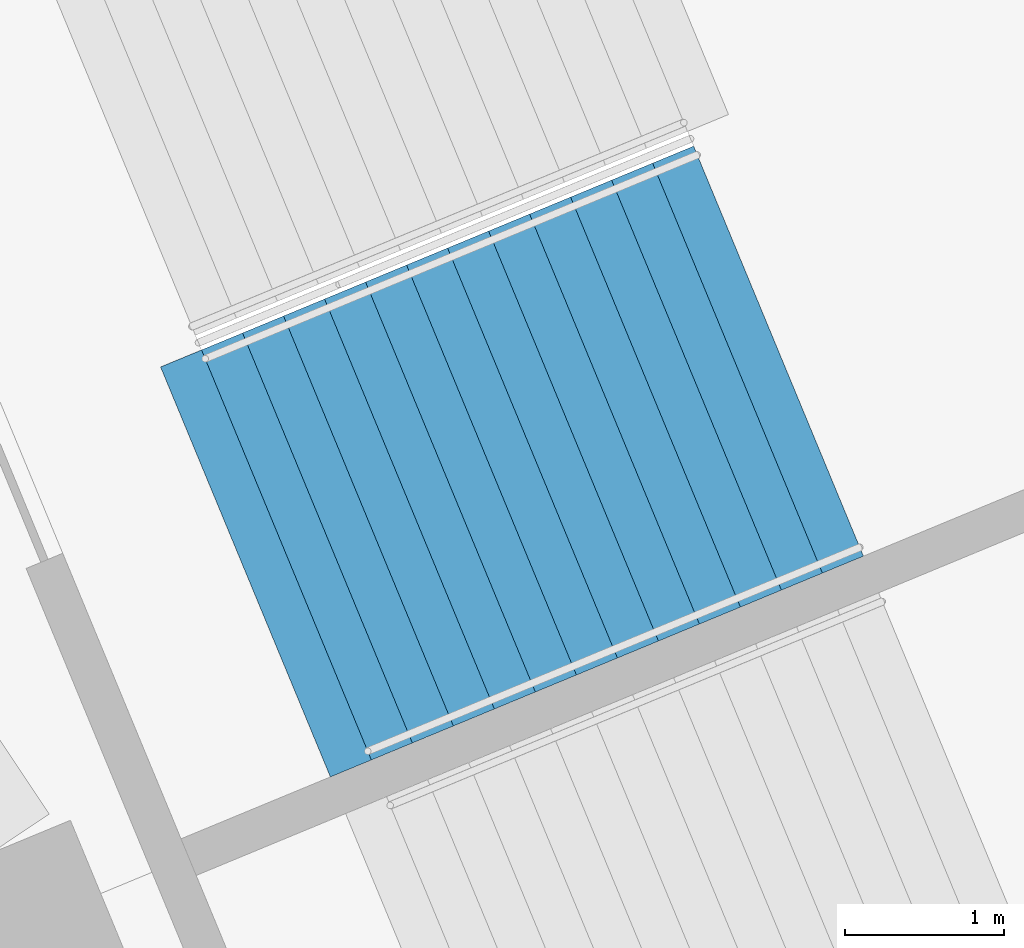
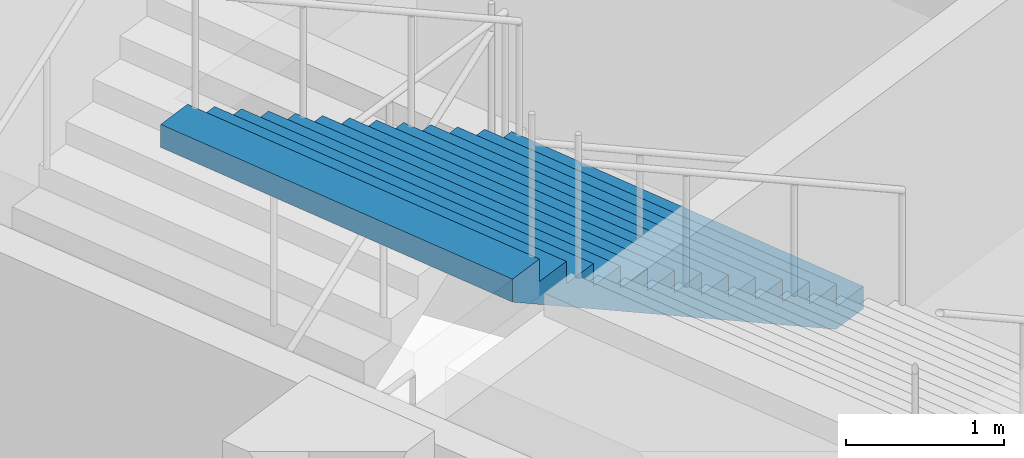
# One storey, part 176 of 199: 1 stair flight, 1 element without a shape of its own.
"""IFC4 building model written with IfcOpenShell, lengths in metres."""

from ifc_helpers import new_model, si_unit, direction, frame, origin, place, context, subcontext, project, spatial, faceted_brep, material, type_object, element, aggregate, save


model = new_model("IFC4")

# Units and contexts
model_context = context("Model", 3, precision=1e-05, world=origin(), true_north=direction((0.0, 1.0)))
body_context = subcontext(model_context, "Body", "Model", "MODEL_VIEW")
ifc_project = project(units=[si_unit("LENGTHUNIT", "METRE"), si_unit("AREAUNIT", "SQUARE_METRE"), si_unit("VOLUMEUNIT", "CUBIC_METRE"), si_unit("PLANEANGLEUNIT", "RADIAN"), si_unit("MASSUNIT", "GRAM", prefix="KILO")], contexts=[model_context])

# Site, building, storey
site_placement = place(None, origin())
site = spatial("IfcSite", under=ifc_project, at=site_placement, CompositionType="ELEMENT")
building_placement = place(site_placement, origin())
building = spatial("IfcBuilding", under=site, at=building_placement, Name="Ogive Plaza Stadium", CompositionType="ELEMENT")
storey_placement = place(building_placement, frame((0.0, 0.0, 9.0)))
storey = spatial("IfcBuildingStorey", under=building, at=storey_placement, Name="L02", CompositionType="ELEMENT", Elevation=9.0)

# Stair, stair flight
ifc_material_1 = material(Name="Concrete C40/50", Category="concrete")
stair_type = type_object("IfcStairType", Name="Exit stair", PredefinedType="STRAIGHT_RUN_STAIR", material=ifc_material_1)
stair_placement = place(storey_placement, origin())
stair = element("IfcStair", 1, at=stair_placement, inside=storey, type_object=stair_type, Name="Exit stair ST40B L02 to L03", PredefinedType="STRAIGHT_RUN_STAIR")
ifc_material_2 = material(Name="Concrete C40/50", Category="concrete")
stair_flight_type = type_object("IfcStairFlightType", Name="Exit stair flight", PredefinedType="STRAIGHT", material=ifc_material_2)
stair_flight_placement = place(storey_placement, frame((75.64697265625, 71.4013671875, 2.25), z_axis=(0.0, 0.0, 1.0), x_axis=(-0.923879532511, -0.382683432365, 0.0)))
stair_flight = element("IfcStairFlight", 2, at=stair_flight_placement, type_object=stair_flight_type, Name="ST40B flight 2", NumberOfRisers=13, NumberOfTreads=12, PredefinedType="STRAIGHT", RiserHeight=0.173076923, TreadLength=0.28, context=body_context, shape_type="Brep", body=[
    faceted_brep([(0.28515625, -1.39990234375, 0.0), (3.639892578125, -1.39990234375, 2.07373046875), (3.639892578125, -1.39990234375, 2.25), (3.360107421875, -1.39990234375, 2.25), (3.360107421875, -1.39990234375, 2.076904296875), (3.080078125, -1.39990234375, 2.076904296875), (3.080078125, -1.39990234375, 1.90380859375), (2.800048828125, -1.39990234375, 1.90380859375), (2.800048828125, -1.39990234375, 1.730712890625), (2.52001953125, -1.39990234375, 1.730712890625), (2.52001953125, -1.39990234375, 1.5576171875), (2.239990234375, -1.39990234375, 1.5576171875), (2.239990234375, -1.39990234375, 1.384521484375), (1.9599609375, -1.39990234375, 1.384521484375), (1.9599609375, -1.39990234375, 1.21142578125), (1.679931640625, -1.39990234375, 1.21142578125), (1.679931640625, -1.39990234375, 1.03857421875), (1.39990234375, -1.39990234375, 1.03857421875), (1.39990234375, -1.39990234375, 0.865478515625), (1.1201171875, -1.39990234375, 0.865478515625), (1.1201171875, -1.39990234375, 0.6923828125), (0.840087890625, -1.39990234375, 0.6923828125), (0.840087890625, -1.39990234375, 0.519287109375), (0.56005859375, -1.39990234375, 0.519287109375), (0.56005859375, -1.39990234375, 0.34619140625), (0.280029296875, -1.39990234375, 0.34619140625), (0.280029296875, -1.39990234375, 0.173095703125), (0.0, -1.39990234375, 0.173095703125), (0.0, -1.39990234375, 0.0), (0.0, 1.39990234375, 0.0), (0.0, 1.39990234375, 0.173095703125), (0.280029296875, 1.39990234375, 0.173095703125), (0.280029296875, 1.39990234375, 0.34619140625), (0.56005859375, 1.39990234375, 0.34619140625), (0.56005859375, 1.39990234375, 0.519287109375), (0.840087890625, 1.39990234375, 0.519287109375), (0.840087890625, 1.39990234375, 0.6923828125), (1.1201171875, 1.39990234375, 0.6923828125), (1.1201171875, 1.39990234375, 0.865478515625), (1.39990234375, 1.39990234375, 0.865478515625), (1.39990234375, 1.39990234375, 1.03857421875), (1.679931640625, 1.39990234375, 1.03857421875), (1.679931640625, 1.39990234375, 1.21142578125), (1.9599609375, 1.39990234375, 1.21142578125), (1.9599609375, 1.39990234375, 1.384521484375), (2.239990234375, 1.39990234375, 1.384521484375), (2.239990234375, 1.39990234375, 1.5576171875), (2.52001953125, 1.39990234375, 1.5576171875), (2.52001953125, 1.39990234375, 1.730712890625), (2.800048828125, 1.39990234375, 1.730712890625), (2.800048828125, 1.39990234375, 1.90380859375), (3.080078125, 1.39990234375, 1.90380859375), (3.080078125, 1.39990234375, 2.076904296875), (3.360107421875, 1.39990234375, 2.076904296875), (3.360107421875, 1.39990234375, 2.25), (3.639892578125, 1.39990234375, 2.25), (3.639892578125, 1.39990234375, 2.07373046875), (0.28515625, 1.39990234375, 0.0), (0.28515625, -1.0888671875, 0.0), (3.639892578125, -1.0888671875, 2.07373046875), (0.28515625, -0.77783203125, 0.0), (3.639892578125, -0.77783203125, 2.07373046875), (0.28515625, -0.466796875, 0.0), (3.639892578125, -0.466796875, 2.07373046875), (0.28515625, -0.155517578125, 0.0), (3.639892578125, -0.155517578125, 2.07373046875), (0.28515625, 0.155517578125, 0.0), (3.639892578125, 0.155517578125, 2.07373046875), (0.28515625, 0.466796875, 0.0), (3.639892578125, 0.466796875, 2.07373046875), (0.28515625, 0.77783203125, 0.0), (3.639892578125, 0.77783203125, 2.07373046875), (0.28515625, 1.0888671875, 0.0), (3.639892578125, 1.0888671875, 2.07373046875), (3.639892578125, -1.0888671875, 2.25), (3.639892578125, -0.77783203125, 2.25), (3.639892578125, -0.466796875, 2.25), (3.639892578125, -0.155517578125, 2.25), (3.639892578125, 0.155517578125, 2.25), (3.639892578125, 0.466796875, 2.25), (3.639892578125, 0.77783203125, 2.25), (3.639892578125, 1.0888671875, 2.25), (3.360107421875, -1.0888671875, 2.25), (3.360107421875, -0.77783203125, 2.25), (3.360107421875, -0.466796875, 2.25), (3.360107421875, -0.155517578125, 2.25), (3.360107421875, 0.155517578125, 2.25), (3.360107421875, 0.466796875, 2.25), (3.360107421875, 0.77783203125, 2.25), (3.360107421875, 1.0888671875, 2.25), (3.360107421875, -1.0888671875, 2.076904296875), (3.360107421875, -0.77783203125, 2.076904296875), (3.360107421875, -0.466796875, 2.076904296875), (3.360107421875, -0.155517578125, 2.076904296875), (3.360107421875, 0.155517578125, 2.076904296875), (3.360107421875, 0.466796875, 2.076904296875), (3.360107421875, 0.77783203125, 2.076904296875), (3.360107421875, 1.0888671875, 2.076904296875), (3.080078125, -1.0888671875, 2.076904296875), (3.080078125, -0.77783203125, 2.076904296875), (3.080078125, -0.466796875, 2.076904296875), (3.080078125, -0.155517578125, 2.076904296875), (3.080078125, 0.155517578125, 2.076904296875), (3.080078125, 0.466796875, 2.076904296875), (3.080078125, 0.77783203125, 2.076904296875), (3.080078125, 1.0888671875, 2.076904296875), (3.080078125, -1.0888671875, 1.90380859375), (3.080078125, -0.77783203125, 1.90380859375), (3.080078125, -0.466796875, 1.90380859375), (3.080078125, -0.155517578125, 1.90380859375), (3.080078125, 0.155517578125, 1.90380859375), (3.080078125, 0.466796875, 1.90380859375), (3.080078125, 0.77783203125, 1.90380859375), (3.080078125, 1.0888671875, 1.90380859375), (2.800048828125, -1.0888671875, 1.90380859375), (2.800048828125, -0.77783203125, 1.90380859375), (2.800048828125, -0.466796875, 1.90380859375), (2.800048828125, -0.155517578125, 1.90380859375), (2.800048828125, 0.155517578125, 1.90380859375), (2.800048828125, 0.466796875, 1.90380859375), (2.800048828125, 0.77783203125, 1.90380859375), (2.800048828125, 1.0888671875, 1.90380859375), (2.800048828125, -1.0888671875, 1.730712890625), (2.800048828125, -0.77783203125, 1.730712890625), (2.800048828125, -0.466796875, 1.730712890625), (2.800048828125, -0.155517578125, 1.730712890625), (2.800048828125, 0.155517578125, 1.730712890625), (2.800048828125, 0.466796875, 1.730712890625), (2.800048828125, 0.77783203125, 1.730712890625), (2.800048828125, 1.0888671875, 1.730712890625), (2.52001953125, -1.0888671875, 1.730712890625), (2.52001953125, -0.77783203125, 1.730712890625), (2.52001953125, -0.466796875, 1.730712890625), (2.52001953125, -0.155517578125, 1.730712890625), (2.52001953125, 0.155517578125, 1.730712890625), (2.52001953125, 0.466796875, 1.730712890625), (2.52001953125, 0.77783203125, 1.730712890625), (2.52001953125, 1.0888671875, 1.730712890625), (2.52001953125, -1.0888671875, 1.5576171875), (2.52001953125, -0.77783203125, 1.5576171875), (2.52001953125, -0.466796875, 1.5576171875), (2.52001953125, -0.155517578125, 1.5576171875), (2.52001953125, 0.155517578125, 1.5576171875), (2.52001953125, 0.466796875, 1.5576171875), (2.52001953125, 0.77783203125, 1.5576171875), (2.52001953125, 1.0888671875, 1.5576171875), (2.239990234375, -1.0888671875, 1.5576171875), (2.239990234375, -0.77783203125, 1.5576171875), (2.239990234375, -0.466796875, 1.5576171875), (2.239990234375, -0.155517578125, 1.5576171875), (2.239990234375, 0.155517578125, 1.5576171875), (2.239990234375, 0.466796875, 1.5576171875), (2.239990234375, 0.77783203125, 1.5576171875), (2.239990234375, 1.0888671875, 1.5576171875), (2.239990234375, -1.0888671875, 1.384521484375), (2.239990234375, -0.77783203125, 1.384521484375), (2.239990234375, -0.466796875, 1.384521484375), (2.239990234375, -0.155517578125, 1.384521484375), (2.239990234375, 0.155517578125, 1.384521484375), (2.239990234375, 0.466796875, 1.384521484375), (2.239990234375, 0.77783203125, 1.384521484375), (2.239990234375, 1.0888671875, 1.384521484375), (1.9599609375, -1.0888671875, 1.384521484375), (1.9599609375, -0.77783203125, 1.384521484375), (1.9599609375, -0.466796875, 1.384521484375), (1.9599609375, -0.155517578125, 1.384521484375), (1.9599609375, 0.155517578125, 1.384521484375), (1.9599609375, 0.466796875, 1.384521484375), (1.9599609375, 0.77783203125, 1.384521484375), (1.9599609375, 1.0888671875, 1.384521484375), (1.9599609375, -1.0888671875, 1.21142578125), (1.9599609375, -0.77783203125, 1.21142578125), (1.9599609375, -0.466796875, 1.21142578125), (1.9599609375, -0.155517578125, 1.21142578125), (1.9599609375, 0.155517578125, 1.21142578125), (1.9599609375, 0.466796875, 1.21142578125), (1.9599609375, 0.77783203125, 1.21142578125), (1.9599609375, 1.0888671875, 1.21142578125), (1.679931640625, -1.0888671875, 1.21142578125), (1.679931640625, -0.77783203125, 1.21142578125), (1.679931640625, -0.466796875, 1.21142578125), (1.679931640625, -0.155517578125, 1.21142578125), (1.679931640625, 0.155517578125, 1.21142578125), (1.679931640625, 0.466796875, 1.21142578125), (1.679931640625, 0.77783203125, 1.21142578125), (1.679931640625, 1.0888671875, 1.21142578125), (1.679931640625, -1.0888671875, 1.03857421875), (1.679931640625, -0.77783203125, 1.03857421875), (1.679931640625, -0.466796875, 1.03857421875), (1.679931640625, -0.155517578125, 1.03857421875), (1.679931640625, 0.155517578125, 1.03857421875), (1.679931640625, 0.466796875, 1.03857421875), (1.679931640625, 0.77783203125, 1.03857421875), (1.679931640625, 1.0888671875, 1.03857421875), (1.39990234375, -1.0888671875, 1.03857421875), (1.39990234375, -0.77783203125, 1.03857421875), (1.39990234375, -0.466796875, 1.03857421875), (1.39990234375, -0.155517578125, 1.03857421875), (1.39990234375, 0.155517578125, 1.03857421875), (1.39990234375, 0.466796875, 1.03857421875), (1.39990234375, 0.77783203125, 1.03857421875), (1.39990234375, 1.0888671875, 1.03857421875), (1.39990234375, -1.0888671875, 0.865478515625), (1.39990234375, -0.77783203125, 0.865478515625), (1.39990234375, -0.466796875, 0.865478515625), (1.39990234375, -0.155517578125, 0.865478515625), (1.39990234375, 0.155517578125, 0.865478515625), (1.39990234375, 0.466796875, 0.865478515625), (1.39990234375, 0.77783203125, 0.865478515625), (1.39990234375, 1.0888671875, 0.865478515625), (1.1201171875, -1.0888671875, 0.865478515625), (1.1201171875, -0.77783203125, 0.865478515625), (1.1201171875, -0.466796875, 0.865478515625), (1.1201171875, -0.155517578125, 0.865478515625), (1.1201171875, 0.155517578125, 0.865478515625), (1.1201171875, 0.466796875, 0.865478515625), (1.1201171875, 0.77783203125, 0.865478515625), (1.1201171875, 1.0888671875, 0.865478515625), (1.1201171875, -1.0888671875, 0.6923828125), (1.1201171875, -0.77783203125, 0.6923828125), (1.1201171875, -0.466796875, 0.6923828125), (1.1201171875, -0.155517578125, 0.6923828125), (1.1201171875, 0.155517578125, 0.6923828125), (1.1201171875, 0.466796875, 0.6923828125), (1.1201171875, 0.77783203125, 0.6923828125), (1.1201171875, 1.0888671875, 0.6923828125), (0.840087890625, -1.0888671875, 0.6923828125), (0.840087890625, -0.77783203125, 0.6923828125), (0.840087890625, -0.466796875, 0.6923828125), (0.840087890625, -0.155517578125, 0.6923828125), (0.840087890625, 0.155517578125, 0.6923828125), (0.840087890625, 0.466796875, 0.6923828125), (0.840087890625, 0.77783203125, 0.6923828125), (0.840087890625, 1.0888671875, 0.6923828125), (0.840087890625, -1.0888671875, 0.519287109375), (0.840087890625, -0.77783203125, 0.519287109375), (0.840087890625, -0.466796875, 0.519287109375), (0.840087890625, -0.155517578125, 0.519287109375), (0.840087890625, 0.155517578125, 0.519287109375), (0.840087890625, 0.466796875, 0.519287109375), (0.840087890625, 0.77783203125, 0.519287109375), (0.840087890625, 1.0888671875, 0.519287109375), (0.56005859375, -1.0888671875, 0.519287109375), (0.56005859375, -0.77783203125, 0.519287109375), (0.56005859375, -0.466796875, 0.519287109375), (0.56005859375, -0.155517578125, 0.519287109375), (0.56005859375, 0.155517578125, 0.519287109375), (0.56005859375, 0.466796875, 0.519287109375), (0.56005859375, 0.77783203125, 0.519287109375), (0.56005859375, 1.0888671875, 0.519287109375), (0.56005859375, -1.0888671875, 0.34619140625), (0.56005859375, -0.77783203125, 0.34619140625), (0.56005859375, -0.466796875, 0.34619140625), (0.56005859375, -0.155517578125, 0.34619140625), (0.56005859375, 0.155517578125, 0.34619140625), (0.56005859375, 0.466796875, 0.34619140625), (0.56005859375, 0.77783203125, 0.34619140625), (0.56005859375, 1.0888671875, 0.34619140625), (0.280029296875, -1.0888671875, 0.34619140625), (0.280029296875, -0.77783203125, 0.34619140625), (0.280029296875, -0.466796875, 0.34619140625), (0.280029296875, -0.155517578125, 0.34619140625), (0.280029296875, 0.155517578125, 0.34619140625), (0.280029296875, 0.466796875, 0.34619140625), (0.280029296875, 0.77783203125, 0.34619140625), (0.280029296875, 1.0888671875, 0.34619140625), (0.280029296875, -1.0888671875, 0.173095703125), (0.280029296875, -0.77783203125, 0.173095703125), (0.280029296875, -0.466796875, 0.173095703125), (0.280029296875, -0.155517578125, 0.173095703125), (0.280029296875, 0.155517578125, 0.173095703125), (0.280029296875, 0.466796875, 0.173095703125), (0.280029296875, 0.77783203125, 0.173095703125), (0.280029296875, 1.0888671875, 0.173095703125), (0.0, -1.0888671875, 0.173095703125), (0.0, -0.77783203125, 0.173095703125), (0.0, -0.466796875, 0.173095703125), (0.0, -0.155517578125, 0.173095703125), (0.0, 0.155517578125, 0.173095703125), (0.0, 0.466796875, 0.173095703125), (0.0, 0.77783203125, 0.173095703125), (0.0, 1.0888671875, 0.173095703125), (0.0, -1.0888671875, 0.0), (0.0, -0.77783203125, 0.0), (0.0, -0.466796875, 0.0), (0.0, -0.155517578125, 0.0), (0.0, 0.155517578125, 0.0), (0.0, 0.466796875, 0.0), (0.0, 0.77783203125, 0.0), (0.0, 1.0888671875, 0.0)], [[[0, 1, 2, 3, 4, 5, 6, 7, 8, 9, 10, 11, 12, 13, 14, 15, 16, 17, 18, 19, 20, 21, 22, 23, 24, 25, 26, 27, 28]], [[29, 30, 31, 32, 33, 34, 35, 36, 37, 38, 39, 40, 41, 42, 43, 44, 45, 46, 47, 48, 49, 50, 51, 52, 53, 54, 55, 56, 57]], [[0, 58, 59, 1]], [[58, 60, 61, 59]], [[60, 62, 63, 61]], [[62, 64, 65, 63]], [[64, 66, 67, 65]], [[66, 68, 69, 67]], [[68, 70, 71, 69]], [[70, 72, 73, 71]], [[72, 57, 56, 73]], [[1, 59, 74, 2]], [[59, 61, 75, 74]], [[61, 63, 76, 75]], [[63, 65, 77, 76]], [[65, 67, 78, 77]], [[67, 69, 79, 78]], [[69, 71, 80, 79]], [[71, 73, 81, 80]], [[73, 56, 55, 81]], [[2, 74, 82, 3]], [[74, 75, 83, 82]], [[75, 76, 84, 83]], [[76, 77, 85, 84]], [[77, 78, 86, 85]], [[78, 79, 87, 86]], [[79, 80, 88, 87]], [[80, 81, 89, 88]], [[81, 55, 54, 89]], [[3, 82, 90, 4]], [[82, 83, 91, 90]], [[83, 84, 92, 91]], [[84, 85, 93, 92]], [[85, 86, 94, 93]], [[86, 87, 95, 94]], [[87, 88, 96, 95]], [[88, 89, 97, 96]], [[89, 54, 53, 97]], [[4, 90, 98, 5]], [[90, 91, 99, 98]], [[91, 92, 100, 99]], [[92, 93, 101, 100]], [[93, 94, 102, 101]], [[94, 95, 103, 102]], [[95, 96, 104, 103]], [[96, 97, 105, 104]], [[97, 53, 52, 105]], [[5, 98, 106, 6]], [[98, 99, 107, 106]], [[99, 100, 108, 107]], [[100, 101, 109, 108]], [[101, 102, 110, 109]], [[102, 103, 111, 110]], [[103, 104, 112, 111]], [[104, 105, 113, 112]], [[105, 52, 51, 113]], [[6, 106, 114, 7]], [[106, 107, 115, 114]], [[107, 108, 116, 115]], [[108, 109, 117, 116]], [[109, 110, 118, 117]], [[110, 111, 119, 118]], [[111, 112, 120, 119]], [[112, 113, 121, 120]], [[113, 51, 50, 121]], [[7, 114, 122, 8]], [[114, 115, 123, 122]], [[115, 116, 124, 123]], [[116, 117, 125, 124]], [[117, 118, 126, 125]], [[118, 119, 127, 126]], [[119, 120, 128, 127]], [[120, 121, 129, 128]], [[121, 50, 49, 129]], [[8, 122, 130, 9]], [[122, 123, 131, 130]], [[123, 124, 132, 131]], [[124, 125, 133, 132]], [[125, 126, 134, 133]], [[126, 127, 135, 134]], [[127, 128, 136, 135]], [[128, 129, 137, 136]], [[129, 49, 48, 137]], [[9, 130, 138, 10]], [[130, 131, 139, 138]], [[131, 132, 140, 139]], [[132, 133, 141, 140]], [[133, 134, 142, 141]], [[134, 135, 143, 142]], [[135, 136, 144, 143]], [[136, 137, 145, 144]], [[137, 48, 47, 145]], [[10, 138, 146, 11]], [[138, 139, 147, 146]], [[139, 140, 148, 147]], [[140, 141, 149, 148]], [[141, 142, 150, 149]], [[142, 143, 151, 150]], [[143, 144, 152, 151]], [[144, 145, 153, 152]], [[145, 47, 46, 153]], [[11, 146, 154, 12]], [[146, 147, 155, 154]], [[147, 148, 156, 155]], [[148, 149, 157, 156]], [[149, 150, 158, 157]], [[150, 151, 159, 158]], [[151, 152, 160, 159]], [[152, 153, 161, 160]], [[153, 46, 45, 161]], [[12, 154, 162, 13]], [[154, 155, 163, 162]], [[155, 156, 164, 163]], [[156, 157, 165, 164]], [[157, 158, 166, 165]], [[158, 159, 167, 166]], [[159, 160, 168, 167]], [[160, 161, 169, 168]], [[161, 45, 44, 169]], [[13, 162, 170, 14]], [[162, 163, 171, 170]], [[163, 164, 172, 171]], [[164, 165, 173, 172]], [[165, 166, 174, 173]], [[166, 167, 175, 174]], [[167, 168, 176, 175]], [[168, 169, 177, 176]], [[169, 44, 43, 177]], [[14, 170, 178, 15]], [[170, 171, 179, 178]], [[171, 172, 180, 179]], [[172, 173, 181, 180]], [[173, 174, 182, 181]], [[174, 175, 183, 182]], [[175, 176, 184, 183]], [[176, 177, 185, 184]], [[177, 43, 42, 185]], [[15, 178, 186, 16]], [[178, 179, 187, 186]], [[179, 180, 188, 187]], [[180, 181, 189, 188]], [[181, 182, 190, 189]], [[182, 183, 191, 190]], [[183, 184, 192, 191]], [[184, 185, 193, 192]], [[185, 42, 41, 193]], [[16, 186, 194, 17]], [[186, 187, 195, 194]], [[187, 188, 196, 195]], [[188, 189, 197, 196]], [[189, 190, 198, 197]], [[190, 191, 199, 198]], [[191, 192, 200, 199]], [[192, 193, 201, 200]], [[193, 41, 40, 201]], [[17, 194, 202, 18]], [[194, 195, 203, 202]], [[195, 196, 204, 203]], [[196, 197, 205, 204]], [[197, 198, 206, 205]], [[198, 199, 207, 206]], [[199, 200, 208, 207]], [[200, 201, 209, 208]], [[201, 40, 39, 209]], [[18, 202, 210, 19]], [[202, 203, 211, 210]], [[203, 204, 212, 211]], [[204, 205, 213, 212]], [[205, 206, 214, 213]], [[206, 207, 215, 214]], [[207, 208, 216, 215]], [[208, 209, 217, 216]], [[209, 39, 38, 217]], [[19, 210, 218, 20]], [[210, 211, 219, 218]], [[211, 212, 220, 219]], [[212, 213, 221, 220]], [[213, 214, 222, 221]], [[214, 215, 223, 222]], [[215, 216, 224, 223]], [[216, 217, 225, 224]], [[217, 38, 37, 225]], [[20, 218, 226, 21]], [[218, 219, 227, 226]], [[219, 220, 228, 227]], [[220, 221, 229, 228]], [[221, 222, 230, 229]], [[222, 223, 231, 230]], [[223, 224, 232, 231]], [[224, 225, 233, 232]], [[225, 37, 36, 233]], [[21, 226, 234, 22]], [[226, 227, 235, 234]], [[227, 228, 236, 235]], [[228, 229, 237, 236]], [[229, 230, 238, 237]], [[230, 231, 239, 238]], [[231, 232, 240, 239]], [[232, 233, 241, 240]], [[233, 36, 35, 241]], [[22, 234, 242, 23]], [[234, 235, 243, 242]], [[235, 236, 244, 243]], [[236, 237, 245, 244]], [[237, 238, 246, 245]], [[238, 239, 247, 246]], [[239, 240, 248, 247]], [[240, 241, 249, 248]], [[241, 35, 34, 249]], [[23, 242, 250, 24]], [[242, 243, 251, 250]], [[243, 244, 252, 251]], [[244, 245, 253, 252]], [[245, 246, 254, 253]], [[246, 247, 255, 254]], [[247, 248, 256, 255]], [[248, 249, 257, 256]], [[249, 34, 33, 257]], [[24, 250, 258, 25]], [[250, 251, 259, 258]], [[251, 252, 260, 259]], [[252, 253, 261, 260]], [[253, 254, 262, 261]], [[254, 255, 263, 262]], [[255, 256, 264, 263]], [[256, 257, 265, 264]], [[257, 33, 32, 265]], [[25, 258, 266, 26]], [[258, 259, 267, 266]], [[259, 260, 268, 267]], [[260, 261, 269, 268]], [[261, 262, 270, 269]], [[262, 263, 271, 270]], [[263, 264, 272, 271]], [[264, 265, 273, 272]], [[265, 32, 31, 273]], [[26, 266, 274, 27]], [[266, 267, 275, 274]], [[267, 268, 276, 275]], [[268, 269, 277, 276]], [[269, 270, 278, 277]], [[270, 271, 279, 278]], [[271, 272, 280, 279]], [[272, 273, 281, 280]], [[273, 31, 30, 281]], [[27, 274, 282, 28]], [[274, 275, 283, 282]], [[275, 276, 284, 283]], [[276, 277, 285, 284]], [[277, 278, 286, 285]], [[278, 279, 287, 286]], [[279, 280, 288, 287]], [[280, 281, 289, 288]], [[281, 30, 29, 289]], [[28, 282, 58, 0]], [[282, 283, 60, 58]], [[283, 284, 62, 60]], [[284, 285, 64, 62]], [[285, 286, 66, 64]], [[286, 287, 68, 66]], [[287, 288, 70, 68]], [[288, 289, 72, 70]], [[289, 29, 57, 72]]]),
])
aggregate(stair, [stair_flight])

save(model, "model.ifc")
